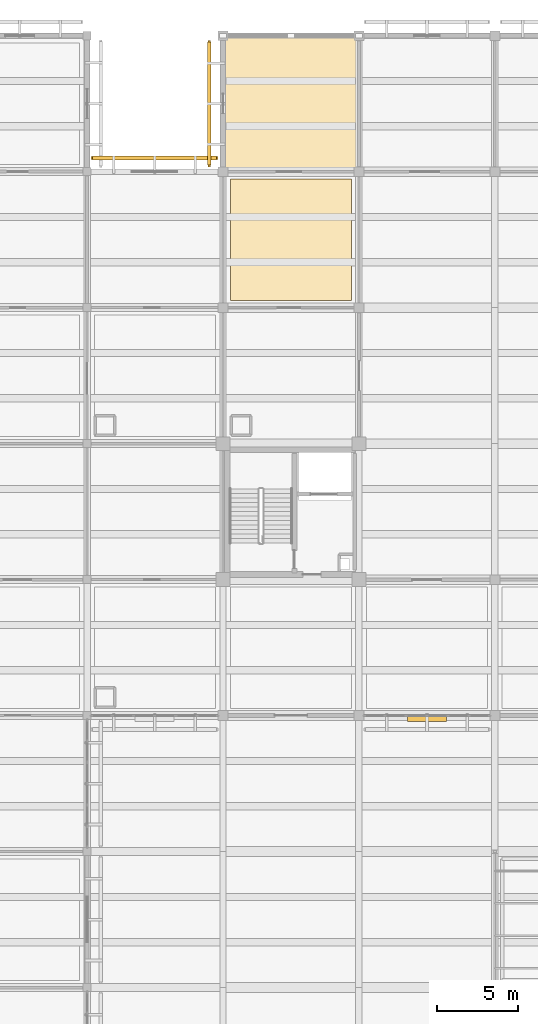
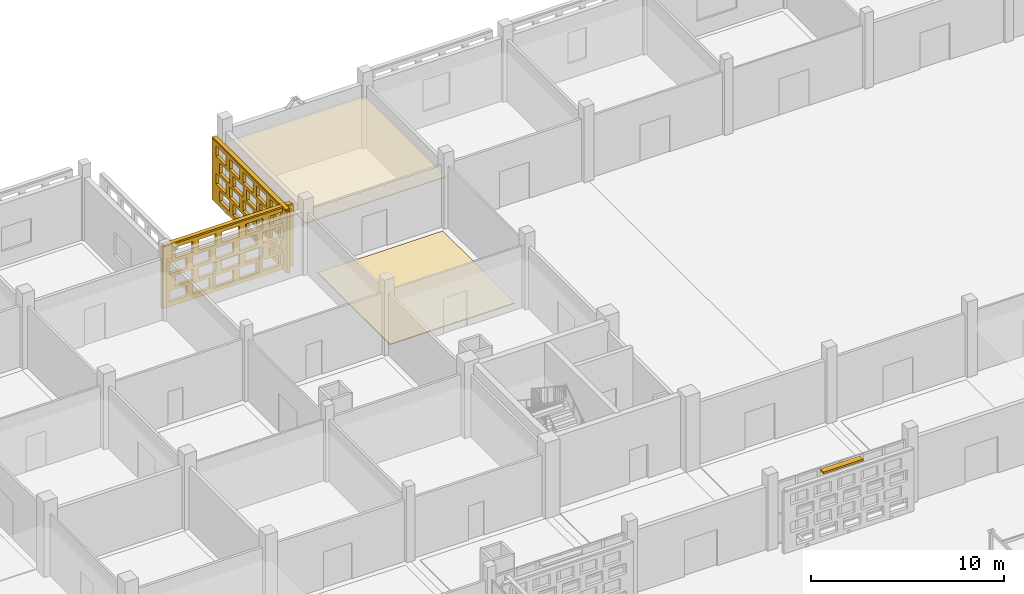
# One storey, part 103 of 129: 4 coverings, 3 shading devices, 40 openings.
"""IFC4 building model written with IfcOpenShell, lengths in metres."""

from ifc_helpers import new_model, si_unit, direction, frame, frame_2d, origin, origin_2d, place, context, subcontext, project, spatial, rectangle, extrude, material, layer, layer_set, type_object, element, save


model = new_model("IFC4")

# Units and contexts
model_context = context("Model", 3, precision=1e-05, world=origin(), true_north=direction((0.0, 1.0)))
body_context = subcontext(model_context, "Body", "Model", "MODEL_VIEW")
ifc_project = project(units=[si_unit("LENGTHUNIT", "METRE"), si_unit("AREAUNIT", "SQUARE_METRE"), si_unit("VOLUMEUNIT", "CUBIC_METRE"), si_unit("PLANEANGLEUNIT", "RADIAN"), si_unit("MASSUNIT", "GRAM", prefix="KILO")], contexts=[model_context])

# Site, building, storey
site_placement = place(None, origin())
site = spatial("IfcSite", under=ifc_project, at=site_placement, CompositionType="ELEMENT")
building_placement = place(site_placement, origin())
building = spatial("IfcBuilding", under=site, at=building_placement, Name="Varnapada Polytechnic", CompositionType="ELEMENT")
storey_placement = place(building_placement, origin())
storey = spatial("IfcBuildingStorey", under=building, at=storey_placement, Name="L00", CompositionType="ELEMENT", Elevation=0.0)

# Covering
ifc_material_1 = material(Name="End-Grain Timber Studio Block Flooring", Category="wood")
ifc_layer_1 = layer(ifc_material_1, 0.054931640625)
ifc_layer_set_1 = layer_set([ifc_layer_1], Name="End-Grain Timber Studio Block Flooring")
covering_type_1 = type_object("IfcCoveringType", Name="Floor Finish FLR-04", PredefinedType="FLOORING", material=ifc_layer_set_1)
covering_1_placement = place(storey_placement, frame((54.60009765625, 113.39990234375, 0.0), z_axis=(0.0, 0.0, 1.0), x_axis=(1.0, 0.0, 0.0)))
element("IfcCovering", 1, at=covering_1_placement, inside=storey, type_object=covering_type_1, Name="L00 floor finish panel (7,14)", PredefinedType="FLOORING", context=body_context, shape_type="SweptSolid", body=[
    extrude(rectangle(XDim=7.5, YDim=7.5, at=origin_2d()), origin(), (0.0, 0.0, 1.0), 0.054931640625),
])

# Shading device
ifc_material_2 = material(Name="Anodised aluminium", Category="aluminium")
ifc_layer_2 = layer(ifc_material_2, 0.35009765625)
ifc_layer_set_2 = layer_set([ifc_layer_2], Name="Anodised aluminium")
shading_device_type_1 = type_object("IfcShadingDeviceType", Name="Solar Louvre LVR-01", PredefinedType="JALOUSIE", material=ifc_layer_set_2)
shading_device_1_placement = place(storey_placement, frame((63.0, 83.820068359375, 3.760009765625), z_axis=(0.0, 0.0, 1.0), x_axis=(-1.0, 0.0, 0.0)))
element("IfcShadingDevice", 2, at=shading_device_1_placement, inside=storey, type_object=shading_device_type_1, Name="L00 aluminium sun louvre 46", PredefinedType="JALOUSIE", context=body_context, shape_type="SweptSolid", body=[
    extrude(rectangle(XDim=2.39990234375, YDim=0.340087890625, at=origin_2d()), origin(), (0.0, 0.0, 1.0), 0.1201171875),
])

# Covering
ifc_material_3 = material(Name="Deep Acoustic Auditorium Cloud Baffle")
ifc_layer_3 = layer(ifc_material_3, 0.06494140625)
ifc_layer_set_3 = layer_set([ifc_layer_3], Name="Deep Acoustic Auditorium Cloud Baffle")
covering_type_2 = type_object("IfcCoveringType", Name="Suspended Ceiling CLG-07", PredefinedType="CEILING", material=ifc_layer_set_3)
covering_2_placement = place(storey_placement, frame((54.60009765625, 121.800048828125, 3.017578125), z_axis=(0.0, 0.0, 1.0), x_axis=(1.0, 0.0, 0.0)))
element("IfcCovering", 3, at=covering_2_placement, inside=storey, type_object=covering_type_2, Name="L00 suspended acoustic ceiling (7,15)", PredefinedType="CEILING", context=body_context, shape_type="SweptSolid", body=[
    extrude(rectangle(XDim=8.419921875, YDim=8.419921875, at=origin_2d()), origin(), (0.0, 0.0, 1.0), 0.06494140625),
])

# Covering, openings
ifc_material_4 = material(Name="Earth-toned architectural terracotta screen block", Category="masonry")
ifc_layer_4 = layer(ifc_material_4, 0.1201171875)
ifc_layer_set_4 = layer_set([ifc_layer_4], Name="Earth-toned architectural terracotta screen block")
covering_type_3 = type_object("IfcCoveringType", Name="Terracotta Screen Cladding CLD-01", PredefinedType="CLADDING", material=ifc_layer_set_4)
covering_3_placement = place(storey_placement, frame((42.25, 118.449951171875, 0.0), z_axis=(0.0, 0.0, 1.0), x_axis=(1.0, 0.0, 0.0)))
covering_3 = element("IfcCovering", 4, at=covering_3_placement, inside=storey, type_object=covering_type_3, Name="L00 perforated terracotta block screen (38)", PredefinedType="CLADDING", context=body_context, shape_type="SweptSolid", body=[
    extrude(rectangle(XDim=7.85009765625, YDim=0.179931640625, at=frame_2d((3.925048828125, 0.0))), origin(), (0.0, 0.0, 1.0), 3.919921875),
])
opening_1_placement = place(covering_3_placement, frame((0.425048828125, 0.0, 0.313720703125)))
element("IfcOpeningElement", 5, at=opening_1_placement, cuts=covering_3, Name="Screen perforation TBS-L00-037.1", PredefinedType="OPENING", context=body_context, shape_type="SweptSolid", body=[
    extrude(rectangle(XDim=1.0400390625, YDim=0.679931640625, at=frame_2d((0.52001953125, 0.33984375))), frame((0.0, 0.099853515625, 0.0), z_axis=(0.0, -1.0, 0.0), x_axis=(1.0, 0.0, 0.0)), (0.0, 0.0, 1.0), 0.199951171875),
])
opening_2_placement = place(covering_3_placement, frame((1.824951171875, 0.0, 0.313720703125)))
element("IfcOpeningElement", 6, at=opening_2_placement, cuts=covering_3, Name="Screen perforation TBS-L00-037.2", PredefinedType="OPENING", context=body_context, shape_type="SweptSolid", body=[
    extrude(rectangle(XDim=1.0400390625, YDim=0.679931640625, at=frame_2d((0.52001953125, 0.33984375))), frame((0.0, 0.099853515625, 0.0), z_axis=(0.0, -1.0, 0.0), x_axis=(1.0, 0.0, 0.0)), (0.0, 0.0, 1.0), 0.199951171875),
])
opening_3_placement = place(covering_3_placement, frame((3.22509765625, 0.0, 0.313720703125)))
element("IfcOpeningElement", 7, at=opening_3_placement, cuts=covering_3, Name="Screen perforation TBS-L00-037.3", PredefinedType="OPENING", context=body_context, shape_type="SweptSolid", body=[
    extrude(rectangle(XDim=1.0400390625, YDim=0.679931640625, at=frame_2d((0.52001953125, 0.33984375))), frame((0.0, 0.099853515625, 0.0), z_axis=(0.0, -1.0, 0.0), x_axis=(1.0, 0.0, 0.0)), (0.0, 0.0, 1.0), 0.199951171875),
])
opening_4_placement = place(covering_3_placement, frame((4.625, 0.0, 0.313720703125)))
element("IfcOpeningElement", 8, at=opening_4_placement, cuts=covering_3, Name="Screen perforation TBS-L00-037.4", PredefinedType="OPENING", context=body_context, shape_type="SweptSolid", body=[
    extrude(rectangle(XDim=1.0400390625, YDim=0.679931640625, at=frame_2d((0.52001953125, 0.33984375))), frame((0.0, 0.099853515625, 0.0), z_axis=(0.0, -1.0, 0.0), x_axis=(1.0, 0.0, 0.0)), (0.0, 0.0, 1.0), 0.199951171875),
])
opening_5_placement = place(covering_3_placement, frame((6.02490234375, 0.0, 0.313720703125)))
element("IfcOpeningElement", 9, at=opening_5_placement, cuts=covering_3, Name="Screen perforation TBS-L00-037.5", PredefinedType="OPENING", context=body_context, shape_type="SweptSolid", body=[
    extrude(rectangle(XDim=1.0400390625, YDim=0.679931640625, at=frame_2d((0.52001953125, 0.33984375))), frame((0.0, 0.099853515625, 0.0), z_axis=(0.0, -1.0, 0.0), x_axis=(1.0, 0.0, 0.0)), (0.0, 0.0, 1.0), 0.199951171875),
])
opening_6_placement = place(covering_3_placement, frame((0.784912109375, 0.0, 1.195556640625)))
element("IfcOpeningElement", 10, at=opening_6_placement, cuts=covering_3, Name="Screen perforation TBS-L00-037.6", PredefinedType="OPENING", context=body_context, shape_type="SweptSolid", body=[
    extrude(rectangle(XDim=1.0400390625, YDim=0.679931640625, at=frame_2d((0.52001953125, 0.33984375))), frame((0.0, 0.099853515625, 0.0), z_axis=(0.0, -1.0, 0.0), x_axis=(1.0, 0.0, 0.0)), (0.0, 0.0, 1.0), 0.199951171875),
])
opening_7_placement = place(covering_3_placement, frame((2.18505859375, 0.0, 1.195556640625)))
element("IfcOpeningElement", 11, at=opening_7_placement, cuts=covering_3, Name="Screen perforation TBS-L00-037.7", PredefinedType="OPENING", context=body_context, shape_type="SweptSolid", body=[
    extrude(rectangle(XDim=1.0400390625, YDim=0.679931640625, at=frame_2d((0.52001953125, 0.33984375))), frame((0.0, 0.099853515625, 0.0), z_axis=(0.0, -1.0, 0.0), x_axis=(1.0, 0.0, 0.0)), (0.0, 0.0, 1.0), 0.199951171875),
])
opening_8_placement = place(covering_3_placement, frame((3.5849609375, 0.0, 1.195556640625)))
element("IfcOpeningElement", 12, at=opening_8_placement, cuts=covering_3, Name="Screen perforation TBS-L00-037.8", PredefinedType="OPENING", context=body_context, shape_type="SweptSolid", body=[
    extrude(rectangle(XDim=1.0400390625, YDim=0.679931640625, at=frame_2d((0.52001953125, 0.33984375))), frame((0.0, 0.099853515625, 0.0), z_axis=(0.0, -1.0, 0.0), x_axis=(1.0, 0.0, 0.0)), (0.0, 0.0, 1.0), 0.199951171875),
])
opening_9_placement = place(covering_3_placement, frame((4.985107421875, 0.0, 1.195556640625)))
element("IfcOpeningElement", 13, at=opening_9_placement, cuts=covering_3, Name="Screen perforation TBS-L00-037.9", PredefinedType="OPENING", context=body_context, shape_type="SweptSolid", body=[
    extrude(rectangle(XDim=1.0400390625, YDim=0.679931640625, at=frame_2d((0.52001953125, 0.33984375))), frame((0.0, 0.099853515625, 0.0), z_axis=(0.0, -1.0, 0.0), x_axis=(1.0, 0.0, 0.0)), (0.0, 0.0, 1.0), 0.199951171875),
])
opening_10_placement = place(covering_3_placement, frame((6.385009765625, 0.0, 1.195556640625)))
element("IfcOpeningElement", 14, at=opening_10_placement, cuts=covering_3, Name="Screen perforation TBS-L00-037.10", PredefinedType="OPENING", context=body_context, shape_type="SweptSolid", body=[
    extrude(rectangle(XDim=1.0400390625, YDim=0.679931640625, at=frame_2d((0.52001953125, 0.33984375))), frame((0.0, 0.099853515625, 0.0), z_axis=(0.0, -1.0, 0.0), x_axis=(1.0, 0.0, 0.0)), (0.0, 0.0, 1.0), 0.199951171875),
])
opening_11_placement = place(covering_3_placement, frame((0.425048828125, 0.0, 2.07763671875)))
element("IfcOpeningElement", 15, at=opening_11_placement, cuts=covering_3, Name="Screen perforation TBS-L00-037.11", PredefinedType="OPENING", context=body_context, shape_type="SweptSolid", body=[
    extrude(rectangle(XDim=1.0400390625, YDim=0.679931640625, at=frame_2d((0.52001953125, 0.33984375))), frame((0.0, 0.099853515625, 0.0), z_axis=(0.0, -1.0, 0.0), x_axis=(1.0, 0.0, 0.0)), (0.0, 0.0, 1.0), 0.199951171875),
])
opening_12_placement = place(covering_3_placement, frame((1.824951171875, 0.0, 2.07763671875)))
element("IfcOpeningElement", 16, at=opening_12_placement, cuts=covering_3, Name="Screen perforation TBS-L00-037.12", PredefinedType="OPENING", context=body_context, shape_type="SweptSolid", body=[
    extrude(rectangle(XDim=1.0400390625, YDim=0.679931640625, at=frame_2d((0.52001953125, 0.33984375))), frame((0.0, 0.099853515625, 0.0), z_axis=(0.0, -1.0, 0.0), x_axis=(1.0, 0.0, 0.0)), (0.0, 0.0, 1.0), 0.199951171875),
])
opening_13_placement = place(covering_3_placement, frame((3.22509765625, 0.0, 2.07763671875)))
element("IfcOpeningElement", 17, at=opening_13_placement, cuts=covering_3, Name="Screen perforation TBS-L00-037.13", PredefinedType="OPENING", context=body_context, shape_type="SweptSolid", body=[
    extrude(rectangle(XDim=1.0400390625, YDim=0.679931640625, at=frame_2d((0.52001953125, 0.33984375))), frame((0.0, 0.099853515625, 0.0), z_axis=(0.0, -1.0, 0.0), x_axis=(1.0, 0.0, 0.0)), (0.0, 0.0, 1.0), 0.199951171875),
])
opening_14_placement = place(covering_3_placement, frame((4.625, 0.0, 2.07763671875)))
element("IfcOpeningElement", 18, at=opening_14_placement, cuts=covering_3, Name="Screen perforation TBS-L00-037.14", PredefinedType="OPENING", context=body_context, shape_type="SweptSolid", body=[
    extrude(rectangle(XDim=1.0400390625, YDim=0.679931640625, at=frame_2d((0.52001953125, 0.33984375))), frame((0.0, 0.099853515625, 0.0), z_axis=(0.0, -1.0, 0.0), x_axis=(1.0, 0.0, 0.0)), (0.0, 0.0, 1.0), 0.199951171875),
])
opening_15_placement = place(covering_3_placement, frame((6.02490234375, 0.0, 2.07763671875)))
element("IfcOpeningElement", 19, at=opening_15_placement, cuts=covering_3, Name="Screen perforation TBS-L00-037.15", PredefinedType="OPENING", context=body_context, shape_type="SweptSolid", body=[
    extrude(rectangle(XDim=1.0400390625, YDim=0.679931640625, at=frame_2d((0.52001953125, 0.33984375))), frame((0.0, 0.099853515625, 0.0), z_axis=(0.0, -1.0, 0.0), x_axis=(1.0, 0.0, 0.0)), (0.0, 0.0, 1.0), 0.199951171875),
])
opening_16_placement = place(covering_3_placement, frame((0.784912109375, 0.0, 2.959716796875)))
element("IfcOpeningElement", 20, at=opening_16_placement, cuts=covering_3, Name="Screen perforation TBS-L00-037.16", PredefinedType="OPENING", context=body_context, shape_type="SweptSolid", body=[
    extrude(rectangle(XDim=1.0400390625, YDim=0.679931640625, at=frame_2d((0.52001953125, 0.33984375))), frame((0.0, 0.099853515625, 0.0), z_axis=(0.0, -1.0, 0.0), x_axis=(1.0, 0.0, 0.0)), (0.0, 0.0, 1.0), 0.199951171875),
])
opening_17_placement = place(covering_3_placement, frame((2.18505859375, 0.0, 2.959716796875)))
element("IfcOpeningElement", 21, at=opening_17_placement, cuts=covering_3, Name="Screen perforation TBS-L00-037.17", PredefinedType="OPENING", context=body_context, shape_type="SweptSolid", body=[
    extrude(rectangle(XDim=1.0400390625, YDim=0.679931640625, at=frame_2d((0.52001953125, 0.33984375))), frame((0.0, 0.099853515625, 0.0), z_axis=(0.0, -1.0, 0.0), x_axis=(1.0, 0.0, 0.0)), (0.0, 0.0, 1.0), 0.199951171875),
])
opening_18_placement = place(covering_3_placement, frame((3.5849609375, 0.0, 2.959716796875)))
element("IfcOpeningElement", 22, at=opening_18_placement, cuts=covering_3, Name="Screen perforation TBS-L00-037.18", PredefinedType="OPENING", context=body_context, shape_type="SweptSolid", body=[
    extrude(rectangle(XDim=1.0400390625, YDim=0.679931640625, at=frame_2d((0.52001953125, 0.33984375))), frame((0.0, 0.099853515625, 0.0), z_axis=(0.0, -1.0, 0.0), x_axis=(1.0, 0.0, 0.0)), (0.0, 0.0, 1.0), 0.199951171875),
])
opening_19_placement = place(covering_3_placement, frame((4.985107421875, 0.0, 2.959716796875)))
element("IfcOpeningElement", 23, at=opening_19_placement, cuts=covering_3, Name="Screen perforation TBS-L00-037.19", PredefinedType="OPENING", context=body_context, shape_type="SweptSolid", body=[
    extrude(rectangle(XDim=1.0400390625, YDim=0.679931640625, at=frame_2d((0.52001953125, 0.33984375))), frame((0.0, 0.099853515625, 0.0), z_axis=(0.0, -1.0, 0.0), x_axis=(1.0, 0.0, 0.0)), (0.0, 0.0, 1.0), 0.199951171875),
])
opening_20_placement = place(covering_3_placement, frame((6.385009765625, 0.0, 2.959716796875)))
element("IfcOpeningElement", 24, at=opening_20_placement, cuts=covering_3, Name="Screen perforation TBS-L00-037.20", PredefinedType="OPENING", context=body_context, shape_type="SweptSolid", body=[
    extrude(rectangle(XDim=1.0400390625, YDim=0.679931640625, at=frame_2d((0.52001953125, 0.33984375))), frame((0.0, 0.099853515625, 0.0), z_axis=(0.0, -1.0, 0.0), x_axis=(1.0, 0.0, 0.0)), (0.0, 0.0, 1.0), 0.199951171875),
])

covering_4_placement = place(storey_placement, frame((49.550048828125, 117.89990234375, 0.0), z_axis=(0.0, 0.0, 1.0), x_axis=(0.0, 1.0, 0.0)))
covering_4 = element("IfcCovering", 25, at=covering_4_placement, inside=storey, type_object=covering_type_3, Name="L00 perforated terracotta block screen (43)", PredefinedType="CLADDING", context=body_context, shape_type="SweptSolid", body=[
    extrude(rectangle(XDim=7.800048828125, YDim=0.179931640625, at=frame_2d((3.89990234375, 0.0))), origin(), (0.0, 0.0, 1.0), 3.919921875),
])
opening_21_placement = place(covering_4_placement, frame((0.39990234375, 0.0, 0.313720703125)))
element("IfcOpeningElement", 26, at=opening_21_placement, cuts=covering_4, Name="Screen perforation TBS-L00-042.1", PredefinedType="OPENING", context=body_context, shape_type="SweptSolid", body=[
    extrude(rectangle(XDim=1.0400390625, YDim=0.679931640625, at=frame_2d((0.52001953125, 0.33984375))), frame((0.0, 0.099853515625, 0.0), z_axis=(0.0, -1.0, 0.0), x_axis=(1.0, 0.0, 0.0)), (0.0, 0.0, 1.0), 0.199951171875),
])
opening_22_placement = place(covering_4_placement, frame((1.800048828125, 0.0, 0.313720703125)))
element("IfcOpeningElement", 27, at=opening_22_placement, cuts=covering_4, Name="Screen perforation TBS-L00-042.2", PredefinedType="OPENING", context=body_context, shape_type="SweptSolid", body=[
    extrude(rectangle(XDim=1.0400390625, YDim=0.679931640625, at=frame_2d((0.52001953125, 0.33984375))), frame((0.0, 0.099853515625, 0.0), z_axis=(0.0, -1.0, 0.0), x_axis=(1.0, 0.0, 0.0)), (0.0, 0.0, 1.0), 0.199951171875),
])
opening_23_placement = place(covering_4_placement, frame((3.199951171875, 0.0, 0.313720703125)))
element("IfcOpeningElement", 28, at=opening_23_placement, cuts=covering_4, Name="Screen perforation TBS-L00-042.3", PredefinedType="OPENING", context=body_context, shape_type="SweptSolid", body=[
    extrude(rectangle(XDim=1.0400390625, YDim=0.679931640625, at=frame_2d((0.52001953125, 0.33984375))), frame((0.0, 0.099853515625, 0.0), z_axis=(0.0, -1.0, 0.0), x_axis=(1.0, 0.0, 0.0)), (0.0, 0.0, 1.0), 0.199951171875),
])
opening_24_placement = place(covering_4_placement, frame((4.60009765625, 0.0, 0.313720703125)))
element("IfcOpeningElement", 29, at=opening_24_placement, cuts=covering_4, Name="Screen perforation TBS-L00-042.4", PredefinedType="OPENING", context=body_context, shape_type="SweptSolid", body=[
    extrude(rectangle(XDim=1.0400390625, YDim=0.679931640625, at=frame_2d((0.52001953125, 0.33984375))), frame((0.0, 0.099853515625, 0.0), z_axis=(0.0, -1.0, 0.0), x_axis=(1.0, 0.0, 0.0)), (0.0, 0.0, 1.0), 0.199951171875),
])
opening_25_placement = place(covering_4_placement, frame((6.0, 0.0, 0.313720703125)))
element("IfcOpeningElement", 30, at=opening_25_placement, cuts=covering_4, Name="Screen perforation TBS-L00-042.5", PredefinedType="OPENING", context=body_context, shape_type="SweptSolid", body=[
    extrude(rectangle(XDim=1.0400390625, YDim=0.679931640625, at=frame_2d((0.52001953125, 0.33984375))), frame((0.0, 0.099853515625, 0.0), z_axis=(0.0, -1.0, 0.0), x_axis=(1.0, 0.0, 0.0)), (0.0, 0.0, 1.0), 0.199951171875),
])
opening_26_placement = place(covering_4_placement, frame((0.760009765625, 0.0, 1.195556640625)))
element("IfcOpeningElement", 31, at=opening_26_placement, cuts=covering_4, Name="Screen perforation TBS-L00-042.6", PredefinedType="OPENING", context=body_context, shape_type="SweptSolid", body=[
    extrude(rectangle(XDim=1.0400390625, YDim=0.679931640625, at=frame_2d((0.52001953125, 0.33984375))), frame((0.0, 0.099853515625, 0.0), z_axis=(0.0, -1.0, 0.0), x_axis=(1.0, 0.0, 0.0)), (0.0, 0.0, 1.0), 0.199951171875),
])
opening_27_placement = place(covering_4_placement, frame((2.159912109375, 0.0, 1.195556640625)))
element("IfcOpeningElement", 32, at=opening_27_placement, cuts=covering_4, Name="Screen perforation TBS-L00-042.7", PredefinedType="OPENING", context=body_context, shape_type="SweptSolid", body=[
    extrude(rectangle(XDim=1.0400390625, YDim=0.679931640625, at=frame_2d((0.52001953125, 0.33984375))), frame((0.0, 0.099853515625, 0.0), z_axis=(0.0, -1.0, 0.0), x_axis=(1.0, 0.0, 0.0)), (0.0, 0.0, 1.0), 0.199951171875),
])
opening_28_placement = place(covering_4_placement, frame((3.56005859375, 0.0, 1.195556640625)))
element("IfcOpeningElement", 33, at=opening_28_placement, cuts=covering_4, Name="Screen perforation TBS-L00-042.8", PredefinedType="OPENING", context=body_context, shape_type="SweptSolid", body=[
    extrude(rectangle(XDim=1.0400390625, YDim=0.679931640625, at=frame_2d((0.52001953125, 0.33984375))), frame((0.0, 0.099853515625, 0.0), z_axis=(0.0, -1.0, 0.0), x_axis=(1.0, 0.0, 0.0)), (0.0, 0.0, 1.0), 0.199951171875),
])
opening_29_placement = place(covering_4_placement, frame((4.9599609375, 0.0, 1.195556640625)))
element("IfcOpeningElement", 34, at=opening_29_placement, cuts=covering_4, Name="Screen perforation TBS-L00-042.9", PredefinedType="OPENING", context=body_context, shape_type="SweptSolid", body=[
    extrude(rectangle(XDim=1.0400390625, YDim=0.679931640625, at=frame_2d((0.52001953125, 0.33984375))), frame((0.0, 0.099853515625, 0.0), z_axis=(0.0, -1.0, 0.0), x_axis=(1.0, 0.0, 0.0)), (0.0, 0.0, 1.0), 0.199951171875),
])
opening_30_placement = place(covering_4_placement, frame((6.360107421875, 0.0, 1.195556640625)))
element("IfcOpeningElement", 35, at=opening_30_placement, cuts=covering_4, Name="Screen perforation TBS-L00-042.10", PredefinedType="OPENING", context=body_context, shape_type="SweptSolid", body=[
    extrude(rectangle(XDim=1.0400390625, YDim=0.679931640625, at=frame_2d((0.52001953125, 0.33984375))), frame((0.0, 0.099853515625, 0.0), z_axis=(0.0, -1.0, 0.0), x_axis=(1.0, 0.0, 0.0)), (0.0, 0.0, 1.0), 0.199951171875),
])
opening_31_placement = place(covering_4_placement, frame((0.39990234375, 0.0, 2.07763671875)))
element("IfcOpeningElement", 36, at=opening_31_placement, cuts=covering_4, Name="Screen perforation TBS-L00-042.11", PredefinedType="OPENING", context=body_context, shape_type="SweptSolid", body=[
    extrude(rectangle(XDim=1.0400390625, YDim=0.679931640625, at=frame_2d((0.52001953125, 0.33984375))), frame((0.0, 0.099853515625, 0.0), z_axis=(0.0, -1.0, 0.0), x_axis=(1.0, 0.0, 0.0)), (0.0, 0.0, 1.0), 0.199951171875),
])
opening_32_placement = place(covering_4_placement, frame((1.800048828125, 0.0, 2.07763671875)))
element("IfcOpeningElement", 37, at=opening_32_placement, cuts=covering_4, Name="Screen perforation TBS-L00-042.12", PredefinedType="OPENING", context=body_context, shape_type="SweptSolid", body=[
    extrude(rectangle(XDim=1.0400390625, YDim=0.679931640625, at=frame_2d((0.52001953125, 0.33984375))), frame((0.0, 0.099853515625, 0.0), z_axis=(0.0, -1.0, 0.0), x_axis=(1.0, 0.0, 0.0)), (0.0, 0.0, 1.0), 0.199951171875),
])
opening_33_placement = place(covering_4_placement, frame((3.199951171875, 0.0, 2.07763671875)))
element("IfcOpeningElement", 38, at=opening_33_placement, cuts=covering_4, Name="Screen perforation TBS-L00-042.13", PredefinedType="OPENING", context=body_context, shape_type="SweptSolid", body=[
    extrude(rectangle(XDim=1.0400390625, YDim=0.679931640625, at=frame_2d((0.52001953125, 0.33984375))), frame((0.0, 0.099853515625, 0.0), z_axis=(0.0, -1.0, 0.0), x_axis=(1.0, 0.0, 0.0)), (0.0, 0.0, 1.0), 0.199951171875),
])
opening_34_placement = place(covering_4_placement, frame((4.60009765625, 0.0, 2.07763671875)))
element("IfcOpeningElement", 39, at=opening_34_placement, cuts=covering_4, Name="Screen perforation TBS-L00-042.14", PredefinedType="OPENING", context=body_context, shape_type="SweptSolid", body=[
    extrude(rectangle(XDim=1.0400390625, YDim=0.679931640625, at=frame_2d((0.52001953125, 0.33984375))), frame((0.0, 0.099853515625, 0.0), z_axis=(0.0, -1.0, 0.0), x_axis=(1.0, 0.0, 0.0)), (0.0, 0.0, 1.0), 0.199951171875),
])
opening_35_placement = place(covering_4_placement, frame((6.0, 0.0, 2.07763671875)))
element("IfcOpeningElement", 40, at=opening_35_placement, cuts=covering_4, Name="Screen perforation TBS-L00-042.15", PredefinedType="OPENING", context=body_context, shape_type="SweptSolid", body=[
    extrude(rectangle(XDim=1.0400390625, YDim=0.679931640625, at=frame_2d((0.52001953125, 0.33984375))), frame((0.0, 0.099853515625, 0.0), z_axis=(0.0, -1.0, 0.0), x_axis=(1.0, 0.0, 0.0)), (0.0, 0.0, 1.0), 0.199951171875),
])
opening_36_placement = place(covering_4_placement, frame((0.760009765625, 0.0, 2.959716796875)))
element("IfcOpeningElement", 41, at=opening_36_placement, cuts=covering_4, Name="Screen perforation TBS-L00-042.16", PredefinedType="OPENING", context=body_context, shape_type="SweptSolid", body=[
    extrude(rectangle(XDim=1.0400390625, YDim=0.679931640625, at=frame_2d((0.52001953125, 0.33984375))), frame((0.0, 0.099853515625, 0.0), z_axis=(0.0, -1.0, 0.0), x_axis=(1.0, 0.0, 0.0)), (0.0, 0.0, 1.0), 0.199951171875),
])
opening_37_placement = place(covering_4_placement, frame((2.159912109375, 0.0, 2.959716796875)))
element("IfcOpeningElement", 42, at=opening_37_placement, cuts=covering_4, Name="Screen perforation TBS-L00-042.17", PredefinedType="OPENING", context=body_context, shape_type="SweptSolid", body=[
    extrude(rectangle(XDim=1.0400390625, YDim=0.679931640625, at=frame_2d((0.52001953125, 0.33984375))), frame((0.0, 0.099853515625, 0.0), z_axis=(0.0, -1.0, 0.0), x_axis=(1.0, 0.0, 0.0)), (0.0, 0.0, 1.0), 0.199951171875),
])
opening_38_placement = place(covering_4_placement, frame((3.56005859375, 0.0, 2.959716796875)))
element("IfcOpeningElement", 43, at=opening_38_placement, cuts=covering_4, Name="Screen perforation TBS-L00-042.18", PredefinedType="OPENING", context=body_context, shape_type="SweptSolid", body=[
    extrude(rectangle(XDim=1.0400390625, YDim=0.679931640625, at=frame_2d((0.52001953125, 0.33984375))), frame((0.0, 0.099853515625, 0.0), z_axis=(0.0, -1.0, 0.0), x_axis=(1.0, 0.0, 0.0)), (0.0, 0.0, 1.0), 0.199951171875),
])
opening_39_placement = place(covering_4_placement, frame((4.9599609375, 0.0, 2.959716796875)))
element("IfcOpeningElement", 44, at=opening_39_placement, cuts=covering_4, Name="Screen perforation TBS-L00-042.19", PredefinedType="OPENING", context=body_context, shape_type="SweptSolid", body=[
    extrude(rectangle(XDim=1.0400390625, YDim=0.679931640625, at=frame_2d((0.52001953125, 0.33984375))), frame((0.0, 0.099853515625, 0.0), z_axis=(0.0, -1.0, 0.0), x_axis=(1.0, 0.0, 0.0)), (0.0, 0.0, 1.0), 0.199951171875),
])
opening_40_placement = place(covering_4_placement, frame((6.360107421875, 0.0, 2.959716796875)))
element("IfcOpeningElement", 45, at=opening_40_placement, cuts=covering_4, Name="Screen perforation TBS-L00-042.20", PredefinedType="OPENING", context=body_context, shape_type="SweptSolid", body=[
    extrude(rectangle(XDim=1.0400390625, YDim=0.679931640625, at=frame_2d((0.52001953125, 0.33984375))), frame((0.0, 0.099853515625, 0.0), z_axis=(0.0, -1.0, 0.0), x_axis=(1.0, 0.0, 0.0)), (0.0, 0.0, 1.0), 0.199951171875),
])

# Shading devices
ifc_layer_5 = layer(ifc_material_4, 0.179931640625)
ifc_layer_set_5 = layer_set([ifc_layer_5], Name="Earth-toned architectural terracotta screen block")
shading_device_type_2 = type_object("IfcShadingDeviceType", Name="Terracotta Screen SCR-02", PredefinedType="USERDEFINED", material=ifc_layer_set_5)
shading_device_2_placement = place(storey_placement, frame((46.175048828125, 118.449951171875, 3.909912109375), z_axis=(0.0, 0.0, 1.0), x_axis=(1.0, 0.0, 0.0)))
element("IfcShadingDevice", 46, at=shading_device_2_placement, inside=storey, type_object=shading_device_type_2, Name="L00 perforated terracotta screen hood 31", ObjectType="SCREEN", PredefinedType="USERDEFINED", context=body_context, shape_type="SweptSolid", body=[
    extrude(rectangle(XDim=7.64990234375, YDim=0.239990234375, at=origin_2d()), origin(), (0.0, 0.0, 1.0), 0.10009765625),
])
shading_device_3_placement = place(storey_placement, frame((49.550048828125, 121.800048828125, 3.909912109375), z_axis=(0.0, 0.0, 1.0), x_axis=(0.0, 1.0, 0.0)))
element("IfcShadingDevice", 47, at=shading_device_3_placement, inside=storey, type_object=shading_device_type_2, Name="L00 perforated terracotta screen hood 33", ObjectType="SCREEN", PredefinedType="USERDEFINED", context=body_context, shape_type="SweptSolid", body=[
    extrude(rectangle(XDim=7.60009765625, YDim=0.239990234375, at=origin_2d()), origin(), (0.0, 0.0, 1.0), 0.10009765625),
])

save(model, "model.ifc")
